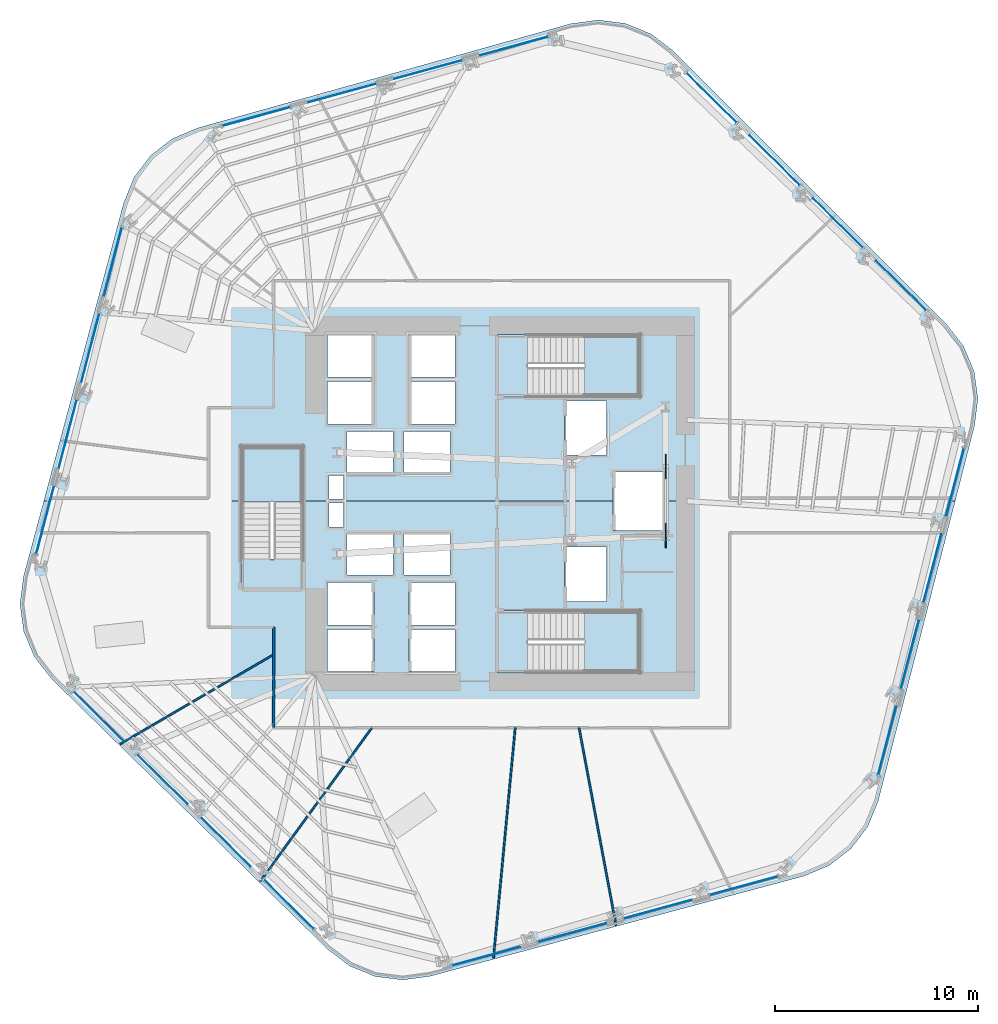
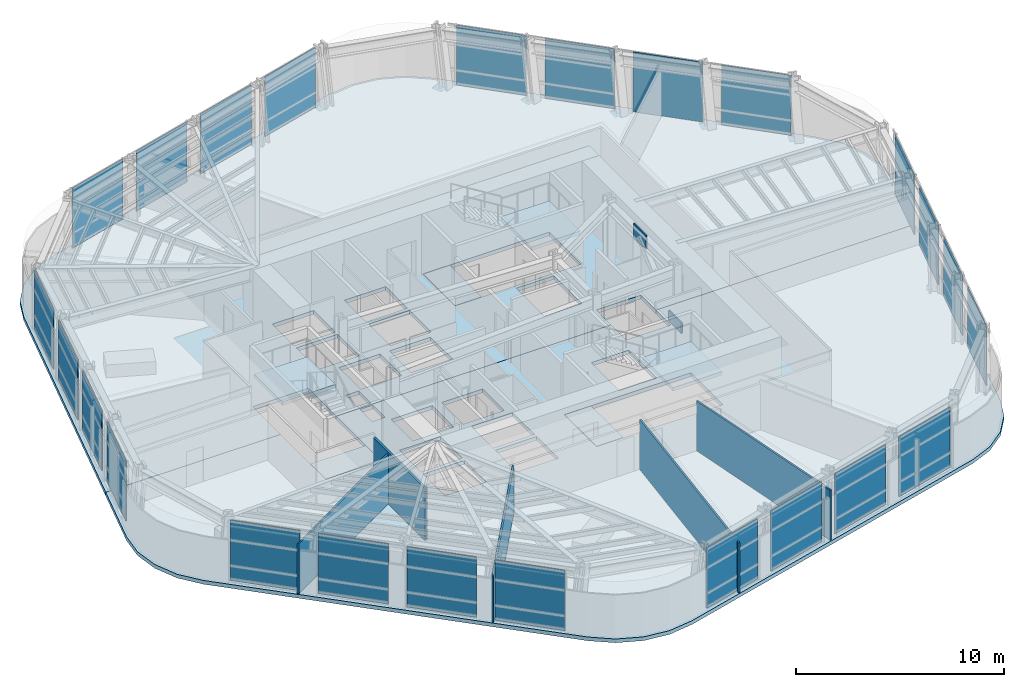
# One storey, part 7 of 16: 26 plates, 8 slabs, 5 walls, 9 elements without a shape of their own.
"""IFC4 building model written with IfcOpenShell, lengths in metres."""

import ifcopenshell
import ifcopenshell.guid

model = None  # the IFC model being written
_history = None  # IfcOwnerHistory: only IFC2X3 demands one
_inside = {}  # id of a spatial element -> (the spatial element, [elements in it])
_under = {}  # id of a project, library or spatial element -> (it, [spatial elements below it])
_declared = {}  # id of a project -> (the project, [libraries it declares])
_typed = {}  # id of a type object -> (the type object, [elements of that type])
_made_of = {}  # id of a material, layer set ... -> (it, [elements and type objects made of it])


def new_model(schema):
    """Start an empty IFC model of exactly this schema.

    Asked for "IFC4X3", IfcOpenShell would pick the latest addendum, in which some entities
    have other attributes; the version numbers below select the first issue.
    IFC2X3 requires an IfcOwnerHistory on every rooted entity: one is made here for all.
    """
    global model, _history
    if schema == "IFC4X3":
        model = ifcopenshell.file(schema_version=(4, 3, 0, 0))
    else:
        model = ifcopenshell.file(schema=schema)
    _inside.clear()
    _under.clear()
    _declared.clear()
    _typed.clear()
    _made_of.clear()
    _history = None
    if model.schema == "IFC2X3":
        org = make("IfcOrganization", Name="unknown")
        user = make(
            "IfcPersonAndOrganization",
            ThePerson=make("IfcPerson", FamilyName="unknown"),
            TheOrganization=org,
        )
        app = make(
            "IfcApplication",
            ApplicationDeveloper=org,
            Version="unknown",
            ApplicationFullName="unknown",
            ApplicationIdentifier="unknown",
        )
        _history = make(
            "IfcOwnerHistory",
            OwningUser=user,
            OwningApplication=app,
            ChangeAction="ADDED",
            CreationDate=0,
        )
    return model


def make(cls, **values):
    """One entity of the class cls with the attributes given. An attribute that is None is left unset."""
    return model.create_entity(
        cls, **{name: value for name, value in values.items() if value is not None}
    )


def rooted(cls, **values):
    """An entity with a GlobalId (a new one), such as an element, a storey or a relation."""
    return make(cls, GlobalId=ifcopenshell.guid.new(), OwnerHistory=_history, **values)


def si_unit(unit_type, name, prefix=None):
    """IfcSIUnit, for example si_unit("LENGTHUNIT", "METRE", prefix="MILLI")."""
    return make("IfcSIUnit", UnitType=unit_type, Prefix=prefix, Name=name)


def assignment(units):
    """IfcUnitAssignment: the units of a project."""
    return None if units is None else make("IfcUnitAssignment", Units=units)


def point(xyz):
    """IfcCartesianPoint."""
    return None if xyz is None else make("IfcCartesianPoint", Coordinates=xyz)


def direction(xyz):
    """IfcDirection."""
    return None if xyz is None else make("IfcDirection", DirectionRatios=xyz)


def frame(location, z_axis=None, x_axis=None):
    """IfcAxis2Placement3D, a coordinate frame: its origin and axes. An axis left out is left unset."""
    return make(
        "IfcAxis2Placement3D",
        Location=point(location),
        Axis=direction(z_axis),
        RefDirection=direction(x_axis),
    )


def frame_2d(location, x_axis=None):
    """IfcAxis2Placement2D, a coordinate frame in the plane: its origin and x axis."""
    return make(
        "IfcAxis2Placement2D", Location=point(location), RefDirection=direction(x_axis)
    )


def origin():
    """The frame at (0, 0, 0) with its axes left unset."""
    return frame((0.0, 0.0, 0.0))


def origin_2d():
    """The frame at (0, 0) in the plane with its x axis left unset."""
    return frame_2d((0.0, 0.0))


def place(relative_to, where):
    """IfcLocalPlacement: puts the frame where relative to a parent placement (None: the world)."""
    return make(
        "IfcLocalPlacement", PlacementRelTo=relative_to, RelativePlacement=where
    )


def context(
    kind, dimensions, precision=None, world=None, true_north=None, identifier=None
):
    """IfcGeometricRepresentationContext, for example the 3D "Model" context."""
    return make(
        "IfcGeometricRepresentationContext",
        ContextIdentifier=identifier,
        ContextType=kind,
        CoordinateSpaceDimension=dimensions,
        Precision=precision,
        WorldCoordinateSystem=world,
        TrueNorth=true_north,
    )


def subcontext(parent, identifier, kind, view, scale=None):
    """IfcGeometricRepresentationSubContext, for example "Body" below "Model"."""
    return make(
        "IfcGeometricRepresentationSubContext",
        ContextIdentifier=identifier,
        ContextType=kind,
        ParentContext=parent,
        TargetScale=scale,
        TargetView=view,
    )


def project(units=None, contexts=None):
    """IfcProject with its units and contexts."""
    return rooted(
        "IfcProject",
        Name="project",
        RepresentationContexts=contexts,
        UnitsInContext=assignment(units),
    )


def spatial(cls, under=None, at=None, **own):
    """A site, building, storey or space (cls), placed at a placement, below another one or the project."""
    s = rooted(cls, ObjectPlacement=at, **own)
    if under is not None:
        _under.setdefault(under.id(), (under, []))[1].append(s)
    return s


def polyline(points):
    """IfcPolyline through the points."""
    return make("IfcPolyline", Points=[point(p) for p in points])


def profile(cls, at=None, kind="AREA", **sizes):
    """A parametric profile (cls). Its sizes go by their IFC names, for example OverallWidth=200.0."""
    return make(cls, ProfileType=kind, Position=at, **sizes)


def rectangle(**sizes):
    """IfcRectangleProfileDef."""
    return profile("IfcRectangleProfileDef", **sizes)


def outline(outer, holes=None, kind="AREA"):
    """IfcArbitraryClosedProfileDef: a profile drawn as a closed curve; with holes, ...WithVoids."""
    if holes is None:
        return make("IfcArbitraryClosedProfileDef", ProfileType=kind, OuterCurve=outer)
    return make(
        "IfcArbitraryProfileDefWithVoids",
        ProfileType=kind,
        OuterCurve=outer,
        InnerCurves=holes,
    )


def extrude(swept, where, along, depth):
    """IfcExtrudedAreaSolid: the profile swept, set in the frame where, extruded along a direction by depth."""
    return make(
        "IfcExtrudedAreaSolid",
        SweptArea=swept,
        Position=where,
        ExtrudedDirection=direction(along),
        Depth=depth,
    )


def shape(context_of_items, identifier, shape_type, items):
    """IfcShapeRepresentation: the items that make up one representation, for example the "Body"."""
    return make(
        "IfcShapeRepresentation",
        ContextOfItems=context_of_items,
        RepresentationIdentifier=identifier,
        RepresentationType=shape_type,
        Items=items,
    )


def material(Name=None, Category=None):
    """IfcMaterial."""
    return make("IfcMaterial", Name=Name, Category=Category)


def layer(
    of_material, thickness, ventilated=None, Name=None, Category=None, Priority=None
):
    """IfcMaterialLayer: one layer of a wall or slab, of a material (None: an air gap)."""
    return make(
        "IfcMaterialLayer",
        Material=of_material,
        LayerThickness=thickness,
        IsVentilated=ventilated,
        Name=Name,
        Category=Category,
        Priority=Priority,
    )


def layer_set(layers, Name=None):
    """IfcMaterialLayerSet."""
    return make("IfcMaterialLayerSet", MaterialLayers=layers, LayerSetName=Name)


def made_of(thing, what):
    """Note that an element or type object is made of a material, layer set ...; save() writes the relation."""
    if what is not None:
        _made_of.setdefault(what.id(), (what, []))[1].append(thing)
    return thing


def type_object(cls, material=None, **own):
    """A type object (cls), such as IfcWallType, which elements share."""
    return made_of(rooted(cls, **own), material)


def element(
    cls,
    number,
    at=None,
    inside=None,
    cuts=None,
    type_object=None,
    material=None,
    context=None,
    identifier="Body",
    shape_type=None,
    held_by="IfcProductDefinitionShape",
    body=None,
    shapes=None,
    **own,
):
    """One element of the class cls, such as IfcWall. Its Tag is "e" and its number.

    at: its placement. inside: the storey or other place that contains it. cuts: it is an
    opening in that element (IfcRelVoidsElement). A single representation is given by context,
    identifier, shape_type and body (its items); several are given by shapes. held_by: the class
    of the entity that holds the representations. save() writes the other relations.
    """
    e = rooted(cls, Tag="e%d" % number, ObjectPlacement=at, **own)
    if body is not None:
        shapes = [shape(context, identifier, shape_type, body)]
    if shapes is not None:
        e.Representation = make(held_by, Representations=shapes)
    if inside is not None:
        _inside.setdefault(inside.id(), (inside, []))[1].append(e)
    if cuts is not None:
        rooted(
            "IfcRelVoidsElement", RelatingBuildingElement=cuts, RelatedOpeningElement=e
        )
    if type_object is not None:
        _typed.setdefault(type_object.id(), (type_object, []))[1].append(e)
    return made_of(e, material)


def aggregate(whole, parts):
    """IfcRelAggregates: a whole, such as a stair, and the parts it consists of."""
    return rooted("IfcRelAggregates", RelatingObject=whole, RelatedObjects=parts)


def save(model, path):
    """Write the relations noted so far, then the file.

    IfcRelAggregates (storeys below a building ...), IfcRelContainedInSpatialStructure (elements
    in a storey), IfcRelDefinesByType, IfcRelAssociatesMaterial and IfcRelDeclares: one each for
    every whole, place, type object, material and project.
    """
    for whole, parts in _under.values():
        aggregate(whole, parts)
    for where, things in _inside.values():
        rooted(
            "IfcRelContainedInSpatialStructure",
            RelatedElements=things,
            RelatingStructure=where,
        )
    for kind, things in _typed.values():
        rooted("IfcRelDefinesByType", RelatedObjects=things, RelatingType=kind)
    for what, things in _made_of.values():
        rooted("IfcRelAssociatesMaterial", RelatedObjects=things, RelatingMaterial=what)
    for by, libraries in _declared.values():
        rooted("IfcRelDeclares", RelatingContext=by, RelatedDefinitions=libraries)
    model.write(path)


model = new_model("IFC4")

# Units and contexts
model_context = context("Model", 3, precision=1e-05, world=origin(), true_north=direction((0.0, 1.0)))
body_context = subcontext(model_context, "Body", "Model", "MODEL_VIEW")
ifc_project = project(units=[si_unit("LENGTHUNIT", "METRE"), si_unit("AREAUNIT", "SQUARE_METRE"), si_unit("VOLUMEUNIT", "CUBIC_METRE"), si_unit("PLANEANGLEUNIT", "RADIAN"), si_unit("MASSUNIT", "GRAM", prefix="KILO")], contexts=[model_context])

# Site, building, storey
site_placement = place(None, origin())
site = spatial("IfcSite", under=ifc_project, at=site_placement, CompositionType="ELEMENT")
building_placement = place(site_placement, origin())
building = spatial("IfcBuilding", under=site, at=building_placement, Name="Valkerne Bourse Tower", CompositionType="ELEMENT")
storey_placement = place(building_placement, frame((0.0, 0.0, 89.60009765625)))
storey = spatial("IfcBuildingStorey", under=building, at=storey_placement, Name="L22", CompositionType="ELEMENT", Elevation=89.60009765625)

# Curtain wall, plates
ifc_material_1 = material(Name="Aluminium AA 6063-T6", Category="aluminium")
ifc_layer_1 = layer(ifc_material_1, 0.22998046875)
ifc_layer_set_1 = layer_set([ifc_layer_1], Name="Aluminium AA 6063-T6")
curtain_wall_type = type_object("IfcCurtainWallType", Name="CW-02", PredefinedType="NOTDEFINED", material=ifc_layer_set_1)
curtain_wall_1_placement = place(storey_placement, origin())
curtain_wall_1 = element("IfcCurtainWall", 1, at=curtain_wall_1_placement, inside=storey, type_object=curtain_wall_type, Name="L22 Hexagonal Stick Curtain Wall Face 1", PredefinedType="NOTDEFINED")
ifc_material_2 = material(Name="Glass IGU Low-E Double Glazed", Category="glass")
ifc_layer_2 = layer(ifc_material_2, 0.031982421875)
ifc_layer_set_2 = layer_set([ifc_layer_2], Name="Glass IGU Low-E Double Glazed")
plate_type_1 = type_object("IfcPlateType", Name="CW-PNL-IGU-32", PredefinedType="CURTAIN_PANEL", material=ifc_layer_set_2)
plate_1_placement = place(storey_placement, frame((66.54541015625, 37.6064453125, 0.02978515625), z_axis=(0.0, 0.0, 1.0), x_axis=(-0.710804515933, 0.703389607635, 0.0)))
plate_1 = element("IfcPlate", 2, at=plate_1_placement, type_object=plate_type_1, Name="CW-L22-F1 Curtain Panel 00", PredefinedType="CURTAIN_PANEL", context=body_context, shape_type="SweptSolid", body=[
    extrude(rectangle(XDim=3.462890625, YDim=0.031982421875, at=origin_2d()), origin(), (0.0, 0.0, 1.0), 3.52001953125),
])
plate_2_placement = place(storey_placement, frame((63.4296875, 40.689208984375, 0.02978515625), z_axis=(0.0, 0.0, 1.0), x_axis=(-0.710804634929, 0.703389487385, 0.0)))
plate_2 = element("IfcPlate", 3, at=plate_2_placement, type_object=plate_type_1, Name="CW-L22-F1 Curtain Panel 01", PredefinedType="CURTAIN_PANEL", context=body_context, shape_type="SweptSolid", body=[
    extrude(rectangle(XDim=3.462890625, YDim=0.031982421875, at=origin_2d()), origin(), (0.0, 0.0, 1.0), 3.52001953125),
])
plate_3_placement = place(storey_placement, frame((60.314453125, 43.772216796875, 0.02978515625), z_axis=(0.0, 0.0, 1.0), x_axis=(-0.710793227719, 0.703401014663, 0.0)))
plate_3 = element("IfcPlate", 4, at=plate_3_placement, type_object=plate_type_1, Name="CW-L22-F1 Curtain Panel 02", PredefinedType="CURTAIN_PANEL", context=body_context, shape_type="SweptSolid", body=[
    extrude(rectangle(XDim=3.462890625, YDim=0.031982421875, at=origin_2d()), origin(), (0.0, 0.0, 1.0), 3.52001953125),
])
plate_4_placement = place(storey_placement, frame((57.198974609375, 46.855224609375, 0.02978515625), z_axis=(0.0, 0.0, 1.0), x_axis=(-0.710804515933, 0.703389607635, 0.0)))
plate_4 = element("IfcPlate", 5, at=plate_4_placement, type_object=plate_type_1, Name="CW-L22-F1 Curtain Panel 03", PredefinedType="CURTAIN_PANEL", context=body_context, shape_type="SweptSolid", body=[
    extrude(rectangle(XDim=3.462890625, YDim=0.031982421875, at=origin_2d()), origin(), (0.0, 0.0, 1.0), 3.52001953125),
])
aggregate(curtain_wall_1, [plate_1, plate_2, plate_3, plate_4])

curtain_wall_2_placement = place(storey_placement, origin())
curtain_wall_2 = element("IfcCurtainWall", 6, at=curtain_wall_2_placement, inside=storey, type_object=curtain_wall_type, Name="L22 Hexagonal Stick Curtain Wall Face 2", PredefinedType="NOTDEFINED")
plate_5_placement = place(storey_placement, frame((47.4873046875, 49.403076171875, 0.02978515625), z_axis=(0.0, 0.0, 1.0), x_axis=(-0.964559769508, -0.263864455822, 0.0)))
plate_5 = element("IfcPlate", 7, at=plate_5_placement, type_object=plate_type_1, Name="CW-L22-F2 Curtain Panel 00", PredefinedType="CURTAIN_PANEL", context=body_context, shape_type="SweptSolid", body=[
    extrude(rectangle(XDim=3.462890625, YDim=0.031982421875, at=origin_2d()), origin(), (0.0, 0.0, 1.0), 3.52001953125),
])
plate_6_placement = place(storey_placement, frame((43.259765625, 48.24658203125, 0.02978515625), z_axis=(0.0, 0.0, 1.0), x_axis=(-0.964555551125, -0.26387987569, 0.0)))
plate_6 = element("IfcPlate", 8, at=plate_6_placement, type_object=plate_type_1, Name="CW-L22-F2 Curtain Panel 01", PredefinedType="CURTAIN_PANEL", context=body_context, shape_type="SweptSolid", body=[
    extrude(rectangle(XDim=3.463134765625, YDim=0.031982421875, at=origin_2d()), origin(), (0.0, 0.0, 1.0), 3.52001953125),
])
plate_7_placement = place(storey_placement, frame((39.031982421875, 47.090087890625, 0.02978515625), z_axis=(0.0, 0.0, 1.0), x_axis=(-0.964559769508, -0.263864455822, 0.0)))
plate_7 = element("IfcPlate", 9, at=plate_7_placement, type_object=plate_type_1, Name="CW-L22-F2 Curtain Panel 02", PredefinedType="CURTAIN_PANEL", context=body_context, shape_type="SweptSolid", body=[
    extrude(rectangle(XDim=3.462890625, YDim=0.031982421875, at=origin_2d()), origin(), (0.0, 0.0, 1.0), 3.52001953125),
])
plate_8_placement = place(storey_placement, frame((34.80419921875, 45.93359375, 0.02978515625), z_axis=(0.0, 0.0, 1.0), x_axis=(-0.964555551125, -0.26387987569, 0.0)))
plate_8 = element("IfcPlate", 10, at=plate_8_placement, type_object=plate_type_1, Name="CW-L22-F2 Curtain Panel 03", PredefinedType="CURTAIN_PANEL", context=body_context, shape_type="SweptSolid", body=[
    extrude(rectangle(XDim=3.463134765625, YDim=0.031982421875, at=origin_2d()), origin(), (0.0, 0.0, 1.0), 3.52001953125),
])
aggregate(curtain_wall_2, [plate_5, plate_6, plate_7, plate_8])

curtain_wall_3_placement = place(storey_placement, origin())
curtain_wall_3 = element("IfcCurtainWall", 11, at=curtain_wall_3_placement, inside=storey, type_object=curtain_wall_type, Name="L22 Hexagonal Stick Curtain Wall Face 3", PredefinedType="NOTDEFINED")
plate_9_placement = place(storey_placement, frame((27.741943359375, 38.796630859375, 0.02978515625), z_axis=(0.0, 0.0, 1.0), x_axis=(-0.253755382081, -0.967268425033, 0.0)))
plate_9 = element("IfcPlate", 12, at=plate_9_placement, type_object=plate_type_1, Name="CW-L22-F3 Curtain Panel 00", PredefinedType="CURTAIN_PANEL", context=body_context, shape_type="SweptSolid", body=[
    extrude(rectangle(XDim=3.462890625, YDim=0.031982421875, at=origin_2d()), origin(), (0.0, 0.0, 1.0), 3.52001953125),
])
plate_10_placement = place(storey_placement, frame((26.6298828125, 34.55712890625, 0.02978515625), z_axis=(0.0, 0.0, 1.0), x_axis=(-0.253776728386, -0.967262824743, 0.0)))
plate_10 = element("IfcPlate", 13, at=plate_10_placement, type_object=plate_type_1, Name="CW-L22-F3 Curtain Panel 01", PredefinedType="CURTAIN_PANEL", context=body_context, shape_type="SweptSolid", body=[
    extrude(rectangle(XDim=3.462890625, YDim=0.031982421875, at=origin_2d()), origin(), (0.0, 0.0, 1.0), 3.52001953125),
])
plate_11_placement = place(storey_placement, frame((25.517578125, 30.317626953125, 0.02978515625), z_axis=(0.0, 0.0, 1.0), x_axis=(-0.253749782108, -0.967269894125, 0.0)))
plate_11 = element("IfcPlate", 14, at=plate_11_placement, type_object=plate_type_1, Name="CW-L22-F3 Curtain Panel 02", PredefinedType="CURTAIN_PANEL", context=body_context, shape_type="SweptSolid", body=[
    extrude(rectangle(XDim=3.463134765625, YDim=0.031982421875, at=origin_2d()), origin(), (0.0, 0.0, 1.0), 3.52001953125),
])
plate_12_placement = place(storey_placement, frame((24.4052734375, 26.078125, 0.02978515625), z_axis=(0.0, 0.0, 1.0), x_axis=(-0.253755382081, -0.967268425033, 0.0)))
plate_12 = element("IfcPlate", 15, at=plate_12_placement, type_object=plate_type_1, Name="CW-L22-F3 Curtain Panel 03", PredefinedType="CURTAIN_PANEL", context=body_context, shape_type="SweptSolid", body=[
    extrude(rectangle(XDim=3.462890625, YDim=0.031982421875, at=origin_2d()), origin(), (0.0, 0.0, 1.0), 3.52001953125),
])
aggregate(curtain_wall_3, [plate_9, plate_10, plate_11, plate_12])

curtain_wall_4_placement = place(storey_placement, origin())
curtain_wall_4 = element("IfcCurtainWall", 16, at=curtain_wall_4_placement, inside=storey, type_object=curtain_wall_type, Name="L22 Hexagonal Stick Curtain Wall Face 4", PredefinedType="NOTDEFINED")
plate_13_placement = place(storey_placement, frame((27.0546875, 16.393798828125, 0.02978515625), z_axis=(0.0, 0.0, 1.0), x_axis=(0.710804515933, -0.703389607635, 0.0)))
plate_13 = element("IfcPlate", 17, at=plate_13_placement, type_object=plate_type_1, Name="CW-L22-F4 Curtain Panel 00", PredefinedType="CURTAIN_PANEL", context=body_context, shape_type="SweptSolid", body=[
    extrude(rectangle(XDim=3.462890625, YDim=0.031982421875, at=origin_2d()), origin(), (0.0, 0.0, 1.0), 3.52001953125),
])
plate_14_placement = place(storey_placement, frame((30.170166015625, 13.310791015625, 0.02978515625), z_axis=(0.0, 0.0, 1.0), x_axis=(0.710804634929, -0.703389487385, 0.0)))
plate_14 = element("IfcPlate", 18, at=plate_14_placement, type_object=plate_type_1, Name="CW-L22-F4 Curtain Panel 01", PredefinedType="CURTAIN_PANEL", context=body_context, shape_type="SweptSolid", body=[
    extrude(rectangle(XDim=3.462890625, YDim=0.031982421875, at=origin_2d()), origin(), (0.0, 0.0, 1.0), 3.52001953125),
])
plate_15_placement = place(storey_placement, frame((33.28564453125, 10.227783203125, 0.02978515625), z_axis=(0.0, 0.0, 1.0), x_axis=(0.710793227719, -0.703401014663, 0.0)))
plate_15 = element("IfcPlate", 19, at=plate_15_placement, type_object=plate_type_1, Name="CW-L22-F4 Curtain Panel 02", PredefinedType="CURTAIN_PANEL", context=body_context, shape_type="SweptSolid", body=[
    extrude(rectangle(XDim=3.462890625, YDim=0.031982421875, at=origin_2d()), origin(), (0.0, 0.0, 1.0), 3.52001953125),
])
plate_16_placement = place(storey_placement, frame((36.40087890625, 7.144775390625, 0.02978515625), z_axis=(0.0, 0.0, 1.0), x_axis=(0.710804515933, -0.703389607635, 0.0)))
plate_16 = element("IfcPlate", 20, at=plate_16_placement, type_object=plate_type_1, Name="CW-L22-F4 Curtain Panel 03", PredefinedType="CURTAIN_PANEL", context=body_context, shape_type="SweptSolid", body=[
    extrude(rectangle(XDim=3.462890625, YDim=0.031982421875, at=origin_2d()), origin(), (0.0, 0.0, 1.0), 3.52001953125),
])
aggregate(curtain_wall_4, [plate_13, plate_14, plate_15, plate_16])

curtain_wall_5_placement = place(storey_placement, origin())
curtain_wall_5 = element("IfcCurtainWall", 21, at=curtain_wall_5_placement, inside=storey, type_object=curtain_wall_type, Name="L22 Hexagonal Stick Curtain Wall Face 5", PredefinedType="NOTDEFINED")
plate_17_placement = place(storey_placement, frame((46.11279296875, 4.596923828125, 0.02978515625), z_axis=(0.0, 0.0, 1.0), x_axis=(0.964559769508, 0.263864455822, 0.0)))
plate_17 = element("IfcPlate", 22, at=plate_17_placement, type_object=plate_type_1, Name="CW-L22-F5 Curtain Panel 00", PredefinedType="CURTAIN_PANEL", context=body_context, shape_type="SweptSolid", body=[
    extrude(rectangle(XDim=3.462890625, YDim=0.031982421875, at=origin_2d()), origin(), (0.0, 0.0, 1.0), 3.52001953125),
])
plate_18_placement = place(storey_placement, frame((50.34033203125, 5.75341796875, 0.02978515625), z_axis=(0.0, 0.0, 1.0), x_axis=(0.964555551125, 0.26387987569, 0.0)))
plate_18 = element("IfcPlate", 23, at=plate_18_placement, type_object=plate_type_1, Name="CW-L22-F5 Curtain Panel 01", PredefinedType="CURTAIN_PANEL", context=body_context, shape_type="SweptSolid", body=[
    extrude(rectangle(XDim=3.463134765625, YDim=0.031982421875, at=origin_2d()), origin(), (0.0, 0.0, 1.0), 3.52001953125),
])
plate_19_placement = place(storey_placement, frame((54.568115234375, 6.909912109375, 0.02978515625), z_axis=(0.0, 0.0, 1.0), x_axis=(0.964559769508, 0.263864455822, 0.0)))
plate_19 = element("IfcPlate", 24, at=plate_19_placement, type_object=plate_type_1, Name="CW-L22-F5 Curtain Panel 02", PredefinedType="CURTAIN_PANEL", context=body_context, shape_type="SweptSolid", body=[
    extrude(rectangle(XDim=3.462890625, YDim=0.031982421875, at=origin_2d()), origin(), (0.0, 0.0, 1.0), 3.52001953125),
])
plate_20_placement = place(storey_placement, frame((58.795654296875, 8.06640625, 0.02978515625), z_axis=(0.0, 0.0, 1.0), x_axis=(0.964555551125, 0.26387987569, 0.0)))
plate_20 = element("IfcPlate", 25, at=plate_20_placement, type_object=plate_type_1, Name="CW-L22-F5 Curtain Panel 03", PredefinedType="CURTAIN_PANEL", context=body_context, shape_type="SweptSolid", body=[
    extrude(rectangle(XDim=3.463134765625, YDim=0.031982421875, at=origin_2d()), origin(), (0.0, 0.0, 1.0), 3.52001953125),
])
aggregate(curtain_wall_5, [plate_17, plate_18, plate_19, plate_20])

curtain_wall_6_placement = place(storey_placement, origin())
curtain_wall_6 = element("IfcCurtainWall", 26, at=curtain_wall_6_placement, inside=storey, type_object=curtain_wall_type, Name="L22 Hexagonal Stick Curtain Wall Face 6", PredefinedType="NOTDEFINED")
plate_21_placement = place(storey_placement, frame((65.85791015625, 15.203369140625, 0.02978515625), z_axis=(0.0, 0.0, 1.0), x_axis=(0.253755382081, 0.967268425033, 0.0)))
plate_21 = element("IfcPlate", 27, at=plate_21_placement, type_object=plate_type_1, Name="CW-L22-F6 Curtain Panel 00", PredefinedType="CURTAIN_PANEL", context=body_context, shape_type="SweptSolid", body=[
    extrude(rectangle(XDim=3.462890625, YDim=0.031982421875, at=origin_2d()), origin(), (0.0, 0.0, 1.0), 3.52001953125),
])
plate_22_placement = place(storey_placement, frame((66.97021484375, 19.44287109375, 0.02978515625), z_axis=(0.0, 0.0, 1.0), x_axis=(0.253776728386, 0.967262824743, 0.0)))
plate_22 = element("IfcPlate", 28, at=plate_22_placement, type_object=plate_type_1, Name="CW-L22-F6 Curtain Panel 01", PredefinedType="CURTAIN_PANEL", context=body_context, shape_type="SweptSolid", body=[
    extrude(rectangle(XDim=3.462890625, YDim=0.031982421875, at=origin_2d()), origin(), (0.0, 0.0, 1.0), 3.52001953125),
])
plate_23_placement = place(storey_placement, frame((68.08251953125, 23.682373046875, 0.02978515625), z_axis=(0.0, 0.0, 1.0), x_axis=(0.253749782108, 0.967269894125, 0.0)))
plate_23 = element("IfcPlate", 29, at=plate_23_placement, type_object=plate_type_1, Name="CW-L22-F6 Curtain Panel 02", PredefinedType="CURTAIN_PANEL", context=body_context, shape_type="SweptSolid", body=[
    extrude(rectangle(XDim=3.463134765625, YDim=0.031982421875, at=origin_2d()), origin(), (0.0, 0.0, 1.0), 3.52001953125),
])
plate_24_placement = place(storey_placement, frame((69.194580078125, 27.921875, 0.02978515625), z_axis=(0.0, 0.0, 1.0), x_axis=(0.253755382081, 0.967268425033, 0.0)))
plate_24 = element("IfcPlate", 30, at=plate_24_placement, type_object=plate_type_1, Name="CW-L22-F6 Curtain Panel 03", PredefinedType="CURTAIN_PANEL", context=body_context, shape_type="SweptSolid", body=[
    extrude(rectangle(XDim=3.462890625, YDim=0.031982421875, at=origin_2d()), origin(), (0.0, 0.0, 1.0), 3.52001953125),
])
aggregate(curtain_wall_6, [plate_21, plate_22, plate_23, plate_24])

# Plates
ifc_material_3 = material(Name="Steel ASTM A572 Grade 50", Category="steel")
ifc_layer_3 = layer(ifc_material_3, 0.06005859375)
ifc_layer_set_3 = layer_set([ifc_layer_3], Name="Steel ASTM A572 Grade 50")
plate_type_2 = type_object("IfcPlateType", Name="PLT-GUS-60", PredefinedType="SHEET", material=ifc_layer_set_3)
for number, where, z_axis, x_axis, name in (
    (31, (54.949951171875, 25.300048828125, -0.18017578125), (0.0, 0.0, 1.0), (0.0, 1.0, 0.0), "L22 Brace Node Gusset Plate PLT-GUS-END-L22-360"),
    (32, (54.949951171875, 28.699951171875, 2.8740234375), (0.0, 0.0, 1.0), (0.0, 1.0, 0.0), "L22 Brace Node Gusset Plate PLT-GUS-END-L22-361"),
):
    element("IfcPlate", number, at=place(storey_placement, frame(where, z_axis=z_axis, x_axis=x_axis)), inside=storey, type_object=plate_type_2, Name=name, PredefinedType="SHEET", context=body_context, shape_type="SweptSolid", body=[
        extrude(rectangle(XDim=1.199951171875, YDim=0.06005859375, at=origin_2d()), origin(), (0.0, 0.0, 1.0), 0.800048828125),
    ])

# Slabs
ifc_material_4 = material(Name="Concrete C40/50", Category="concrete")
ifc_layer_4 = layer(ifc_material_4, 0.25)
ifc_layer_set_4 = layer_set([ifc_layer_4], Name="Concrete C40/50")
slab_type_1 = type_object("IfcSlabType", Name="SLB-RMP-LND-250", PredefinedType="LANDING", material=ifc_layer_set_4)
slab_1_placement = place(storey_placement, frame((0.0, 0.0, -0.22021484375)))
element("IfcSlab", 33, at=slab_1_placement, inside=storey, type_object=slab_type_1, Name="L22 ST-1 Floor Landing Slab", PredefinedType="LANDING", context=body_context, shape_type="SweptSolid", body=[
    extrude(outline(polyline([(46.669921875, 18.5400390625), (48.14990234375, 18.5400390625), (48.14990234375, 21.610107421875), (46.669921875, 21.610107421875), (46.669921875, 18.5400390625)])), origin(), (0.0, 0.0, 1.0), 0.22021484375),
])
slab_2_placement = place(storey_placement, frame((0.0, 0.0, -0.22021484375)))
element("IfcSlab", 34, at=slab_2_placement, inside=storey, type_object=slab_type_1, Name="L22 ST-2 Floor Landing Slab", PredefinedType="LANDING", context=body_context, shape_type="SweptSolid", body=[
    extrude(outline(polyline([(46.669921875, 32.139892578125), (48.14990234375, 32.139892578125), (48.14990234375, 35.2099609375), (46.669921875, 35.2099609375), (46.669921875, 32.139892578125)])), origin(), (0.0, 0.0, 1.0), 0.22021484375),
])
slab_3_placement = place(storey_placement, frame((0.0, 0.0, -0.22021484375)))
element("IfcSlab", 35, at=slab_3_placement, inside=storey, type_object=slab_type_1, Name="L22 ST-3 Floor Landing Slab", PredefinedType="LANDING", context=body_context, shape_type="SweptSolid", body=[
    extrude(outline(polyline([(37.110107421875, 22.669921875), (37.110107421875, 24.14990234375), (34.0400390625, 24.14990234375), (34.0400390625, 22.669921875), (37.110107421875, 22.669921875)])), origin(), (0.0, 0.0, 1.0), 0.22021484375),
])

# Stair, slab
stair_type = type_object("IfcStairType", Name="ST-CORE-1400", PredefinedType="HALF_TURN_STAIR", material=ifc_material_4)
stair_1_placement = place(storey_placement, origin())
stair_1 = element("IfcStair", 36, at=stair_1_placement, inside=storey, type_object=stair_type, Name="L22 ST-1", PredefinedType="HALF_TURN_STAIR")
ifc_layer_5 = layer(ifc_material_4, 0.179931640625)
ifc_layer_set_5 = layer_set([ifc_layer_5], Name="Concrete C40/50")
slab_type_2 = type_object("IfcSlabType", Name="SLB-ST-LND-180", PredefinedType="LANDING", material=ifc_layer_set_5)
slab_4_placement = place(storey_placement, frame((0.0, 0.0, 1.699951171875)))
slab_4 = element("IfcSlab", 37, at=slab_4_placement, type_object=slab_type_2, Name="ST-1 landing 1", PredefinedType="LANDING", context=body_context, shape_type="SweptSolid", body=[
    extrude(outline(polyline([(50.949951171875, 18.60009765625), (53.64990234375, 18.60009765625), (53.64990234375, 21.550048828125), (50.949951171875, 21.550048828125), (50.949951171875, 18.60009765625)])), origin(), (0.0, 0.0, 1.0), 0.199951171875),
])
aggregate(stair_1, [slab_4])

stair_2_placement = place(storey_placement, origin())
stair_2 = element("IfcStair", 38, at=stair_2_placement, inside=storey, type_object=stair_type, Name="L22 ST-2", PredefinedType="HALF_TURN_STAIR")
slab_5_placement = place(storey_placement, frame((0.0, 0.0, 1.699951171875)))
slab_5 = element("IfcSlab", 39, at=slab_5_placement, type_object=slab_type_2, Name="ST-2 landing 1", PredefinedType="LANDING", context=body_context, shape_type="SweptSolid", body=[
    extrude(outline(polyline([(50.949951171875, 32.199951171875), (53.64990234375, 32.199951171875), (53.64990234375, 35.14990234375), (50.949951171875, 35.14990234375), (50.949951171875, 32.199951171875)])), origin(), (0.0, 0.0, 1.0), 0.199951171875),
])
aggregate(stair_2, [slab_5])

stair_3_placement = place(storey_placement, origin())
stair_3 = element("IfcStair", 40, at=stair_3_placement, inside=storey, type_object=stair_type, Name="L22 ST-3", PredefinedType="HALF_TURN_STAIR")
slab_6_placement = place(storey_placement, frame((0.0, 0.0, 1.699951171875)))
slab_6 = element("IfcSlab", 41, at=slab_6_placement, type_object=slab_type_2, Name="ST-3 landing 1", PredefinedType="LANDING", context=body_context, shape_type="SweptSolid", body=[
    extrude(outline(polyline([(37.050048828125, 26.949951171875), (37.050048828125, 29.64990234375), (34.10009765625, 29.64990234375), (34.10009765625, 26.949951171875), (37.050048828125, 26.949951171875)])), origin(), (0.0, 0.0, 1.0), 0.199951171875),
])
aggregate(stair_3, [slab_6])

# Slabs
ifc_layer_6 = layer(ifc_material_4, 0.219970703125)
ifc_layer_set_6 = layer_set([ifc_layer_6], Name="Concrete C40/50")
slab_type_3 = type_object("IfcSlabType", Name="SLB-TOW-220", PredefinedType="FLOOR", material=ifc_layer_set_6)
slab_7_placement = place(storey_placement, frame((0.0, 0.0, -0.22021484375)))
element("IfcSlab", 42, at=slab_7_placement, inside=storey, type_object=slab_type_3, Name="L22 Hexagonal Composite Floor Slab S", PredefinedType="FLOOR", context=body_context, shape_type="SweptSolid", body=[
    extrude(outline(polyline([(64.90185546875, 10.980224609375), (64.0810546875, 9.89892578125), (63.008544921875, 9.06689453125), (61.757080078125, 8.540771484375), (43.351806640625, 3.610595703125), (42.007080078125, 3.42626953125), (40.66015625, 3.596435546875), (39.4033203125, 4.109375), (38.322021484375, 4.93017578125), (24.70751953125, 18.260498046875), (23.87548828125, 19.333251953125), (23.349365234375, 20.584716796875), (23.165283203125, 21.9296875), (23.335205078125, 23.2763671875), (24.333251953125, 27.0), (34.034912109375, 27.0), (34.034912109375, 22.6650390625), (37.114990234375, 22.6650390625), (37.114990234375, 27.0), (52.360107421875, 27.0), (52.360107421875, 25.56005859375), (54.840087890625, 25.56005859375), (54.840087890625, 27.0), (69.2041015625, 27.0), (65.414794921875, 12.237060546875), (64.90185546875, 10.980224609375)]), holes=[polyline([(40.590087890625, 20.68994140625), (38.31005859375, 20.68994140625), (38.31005859375, 18.610107421875), (40.590087890625, 18.610107421875), (40.590087890625, 20.68994140625)]), polyline([(40.590087890625, 22.989990234375), (38.31005859375, 22.989990234375), (38.31005859375, 20.909912109375), (40.590087890625, 20.909912109375), (40.590087890625, 22.989990234375)]), polyline([(41.5400390625, 25.43994140625), (39.260009765625, 25.43994140625), (39.260009765625, 23.360107421875), (41.5400390625, 23.360107421875), (41.5400390625, 25.43994140625)]), polyline([(39.10009765625, 25.72998046875), (39.10009765625, 26.89990234375), (38.3798828125, 26.89990234375), (38.3798828125, 25.72998046875), (39.10009765625, 25.72998046875)]), polyline([(44.590087890625, 20.68994140625), (42.31005859375, 20.68994140625), (42.31005859375, 18.610107421875), (44.590087890625, 18.610107421875), (44.590087890625, 20.68994140625)]), polyline([(53.675048828125, 21.614990234375), (46.6650390625, 21.614990234375), (46.6650390625, 18.534912109375), (53.675048828125, 18.534912109375), (53.675048828125, 21.614990234375)]), polyline([(44.590087890625, 22.989990234375), (42.31005859375, 22.989990234375), (42.31005859375, 20.909912109375), (44.590087890625, 20.909912109375), (44.590087890625, 22.989990234375)]), polyline([(52.0400390625, 22.06005859375), (52.0400390625, 24.739990234375), (49.9599609375, 24.739990234375), (49.9599609375, 22.06005859375), (52.0400390625, 22.06005859375)]), polyline([(44.340087890625, 23.360107421875), (44.340087890625, 25.43994140625), (42.06005859375, 25.43994140625), (42.06005859375, 23.360107421875), (44.340087890625, 23.360107421875)])]), origin(), (0.0, 0.0, 1.0), 0.22021484375),
])
slab_8_placement = place(storey_placement, frame((0.0, 0.0, -0.22021484375)))
element("IfcSlab", 43, at=slab_8_placement, inside=storey, type_object=slab_type_3, Name="L22 Hexagonal Composite Floor Slab N", PredefinedType="FLOOR", context=body_context, shape_type="SweptSolid", body=[
    extrude(outline(polyline([(28.268310546875, 41.680908203125), (28.781005859375, 42.937744140625), (29.601806640625, 44.01904296875), (30.67431640625, 44.85107421875), (31.92578125, 45.377197265625), (50.277587890625, 50.50244140625), (51.622802734375, 50.6865234375), (52.969482421875, 50.5166015625), (54.226318359375, 50.003662109375), (55.3076171875, 49.182861328125), (68.780029296875, 35.70849609375), (69.612060546875, 34.635986328125), (70.137939453125, 33.384521484375), (70.322265625, 32.03955078125), (70.152099609375, 30.69287109375), (69.2041015625, 27.0), (54.840087890625, 27.0), (54.840087890625, 28.43994140625), (52.360107421875, 28.43994140625), (52.360107421875, 27.0), (37.114990234375, 27.0), (37.114990234375, 29.675048828125), (34.034912109375, 29.675048828125), (34.034912109375, 27.0), (24.333251953125, 27.0), (28.268310546875, 41.680908203125)]), holes=[polyline([(39.10009765625, 28.27001953125), (38.3798828125, 28.27001953125), (38.3798828125, 27.10009765625), (39.10009765625, 27.10009765625), (39.10009765625, 28.27001953125)]), polyline([(41.5400390625, 30.43994140625), (39.260009765625, 30.43994140625), (39.260009765625, 28.360107421875), (41.5400390625, 28.360107421875), (41.5400390625, 30.43994140625)]), polyline([(44.340087890625, 30.43994140625), (42.06005859375, 30.43994140625), (42.06005859375, 28.360107421875), (44.340087890625, 28.360107421875), (44.340087890625, 30.43994140625)]), polyline([(40.590087890625, 30.81005859375), (40.590087890625, 32.889892578125), (38.31005859375, 32.889892578125), (38.31005859375, 30.81005859375), (40.590087890625, 30.81005859375)]), polyline([(40.590087890625, 33.110107421875), (40.590087890625, 35.18994140625), (38.31005859375, 35.18994140625), (38.31005859375, 33.110107421875), (40.590087890625, 33.110107421875)]), polyline([(52.0400390625, 31.93994140625), (49.9599609375, 31.93994140625), (49.9599609375, 29.260009765625), (52.0400390625, 29.260009765625), (52.0400390625, 31.93994140625)]), polyline([(44.590087890625, 32.889892578125), (42.31005859375, 32.889892578125), (42.31005859375, 30.81005859375), (44.590087890625, 30.81005859375), (44.590087890625, 32.889892578125)]), polyline([(53.675048828125, 32.135009765625), (53.675048828125, 35.215087890625), (46.6650390625, 35.215087890625), (46.6650390625, 32.135009765625), (53.675048828125, 32.135009765625)]), polyline([(44.590087890625, 33.110107421875), (44.590087890625, 35.18994140625), (42.31005859375, 35.18994140625), (42.31005859375, 33.110107421875), (44.590087890625, 33.110107421875)])]), origin(), (0.0, 0.0, 1.0), 0.22021484375),
])

# Walls
ifc_material_5 = material(Name="Gypsum Board Steel-Stud Partition", Category="steel")
ifc_layer_7 = layer(ifc_material_5, 0.117919921875)
ifc_layer_set_7 = layer_set([ifc_layer_7], Name="Gypsum Board Steel-Stud Partition")
wall_type_1 = type_object("IfcWallType", Name="W-CORR-140", PredefinedType="PARTITIONING", material=ifc_layer_set_7)
wall_1_placement = place(storey_placement, frame((35.64990234375, 15.85009765625, 0.0), z_axis=(0.0, 0.0, 1.0), x_axis=(0.0, 1.0, 0.0)))
element("IfcWall", 44, at=wall_1_placement, inside=storey, type_object=wall_type_1, Name="L22 Corridor Enclosure Wall", PredefinedType="PARTITIONING", context=body_context, shape_type="SweptSolid", body=[
    extrude(rectangle(XDim=4.949951171875, YDim=0.117919921875, at=frame_2d((2.47509765625, 0.0))), origin(), (0.0, 0.0, 1.0), 3.03662109375),
])
ifc_layer_8 = layer(ifc_material_5, 0.092041015625)
ifc_layer_set_8 = layer_set([ifc_layer_8], Name="Gypsum Board Steel-Stud Partition")
wall_type_2 = type_object("IfcWallType", Name="W-PART-115", PredefinedType="PARTITIONING", material=ifc_layer_set_8)
wall_2_placement = place(storey_placement, frame((47.54541015625, 15.844970703125, 0.0), z_axis=(0.0, 0.0, 1.0), x_axis=(-0.094085945401, -0.99556407874, 0.0)))
element("IfcWall", 45, at=wall_2_placement, inside=storey, type_object=wall_type_2, Name="L22 Suite Partition P01", PredefinedType="PARTITIONING", context=body_context, shape_type="SweptSolid", body=[
    extrude(rectangle(XDim=11.3759765625, YDim=0.092041015625, at=frame_2d((5.68798828125, 0.0))), origin(), (0.0, 0.0, 1.0), 2.92236328125),
])
wall_3_placement = place(storey_placement, frame((50.6875, 15.844970703125, 0.0), z_axis=(0.0, 0.0, 1.0), x_axis=(0.183967715291, -0.982932286442, 0.0)))
element("IfcWall", 46, at=wall_3_placement, inside=storey, type_object=wall_type_2, Name="L22 Suite Partition P02", PredefinedType="PARTITIONING", context=body_context, shape_type="SweptSolid", body=[
    extrude(rectangle(XDim=9.87890625, YDim=0.092041015625, at=frame_2d((4.939453125, 0.0))), origin(), (0.0, 0.0, 1.0), 2.92236328125),
])
wall_4_placement = place(storey_placement, frame((35.64501953125, 19.444091796875, 0.0), z_axis=(0.0, 0.0, 1.0), x_axis=(-0.863813347512, -0.503811969548, 0.0)))
element("IfcWall", 47, at=wall_4_placement, inside=storey, type_object=wall_type_2, Name="L22 Suite Partition P08", PredefinedType="PARTITIONING", context=body_context, shape_type="SweptSolid", body=[
    extrude(rectangle(XDim=8.739501953125, YDim=0.092041015625, at=frame_2d((4.36962890625, 0.0))), origin(), (0.0, 0.0, 1.0), 2.92236328125),
])
wall_5_placement = place(storey_placement, frame((40.489990234375, 15.844970703125, 0.0), z_axis=(0.0, 0.0, 1.0), x_axis=(-0.588062957868, -0.808815156623, 0.0)))
element("IfcWall", 48, at=wall_5_placement, inside=storey, type_object=wall_type_2, Name="L22 Suite Partition P09", PredefinedType="PARTITIONING", context=body_context, shape_type="SweptSolid", body=[
    extrude(rectangle(XDim=9.34521484375, YDim=0.092041015625, at=frame_2d((4.672607421875, 0.0))), origin(), (0.0, 0.0, 1.0), 2.71142578125),
])

save(model, "model.ifc")
